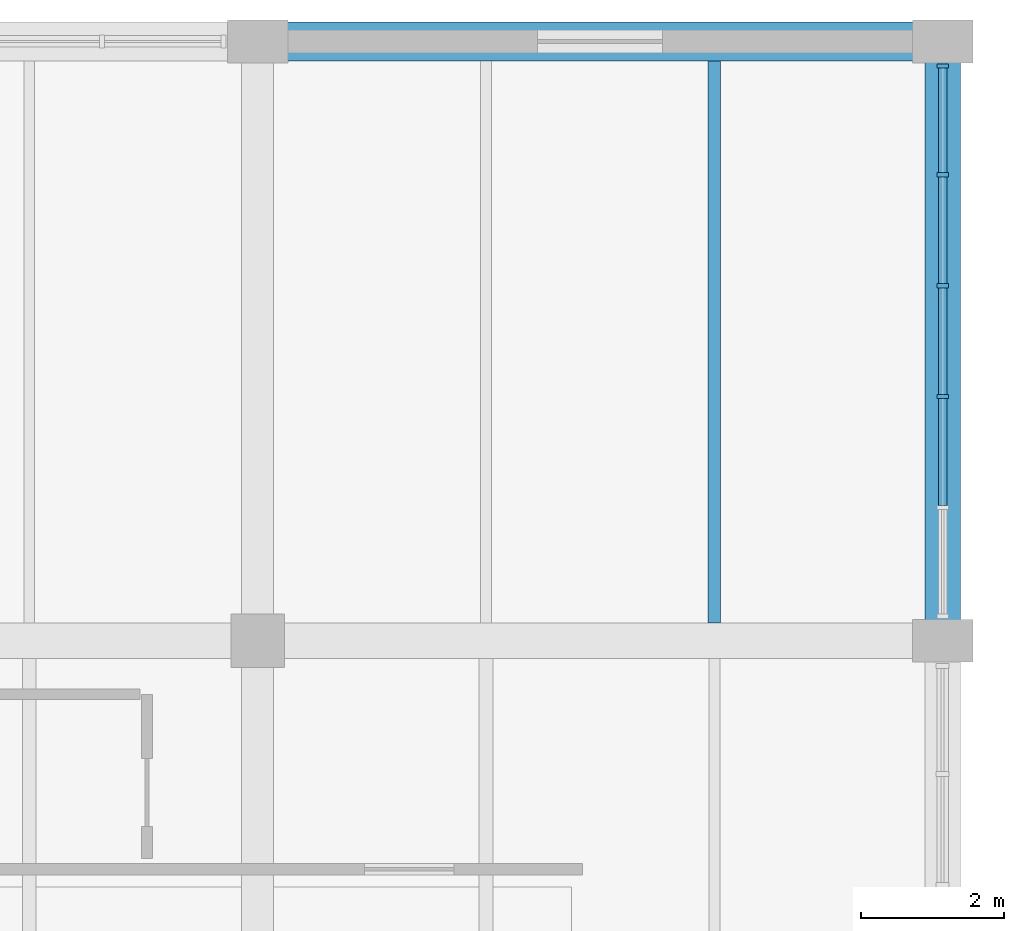
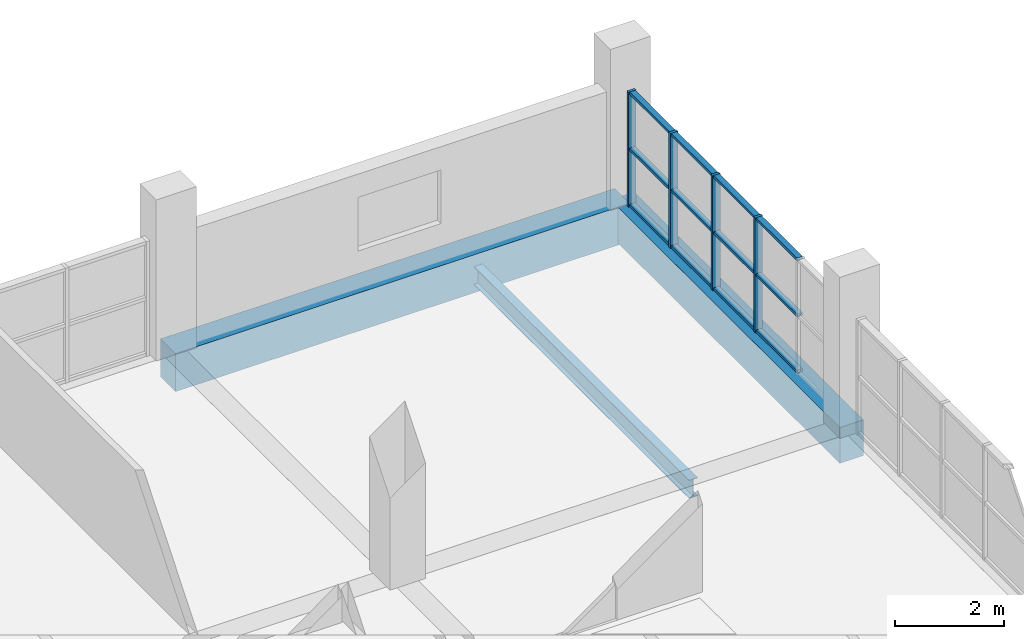
# One storey, part 90 of 147: 16 members, 3 beams, 1 element without a shape of its own.
"""IFC4 building model written with IfcOpenShell, lengths in metres."""

import ifcopenshell
import ifcopenshell.guid

model = None  # the IFC model being written
_history = None  # IfcOwnerHistory: only IFC2X3 demands one
_inside = {}  # id of a spatial element -> (the spatial element, [elements in it])
_under = {}  # id of a project, library or spatial element -> (it, [spatial elements below it])
_declared = {}  # id of a project -> (the project, [libraries it declares])
_typed = {}  # id of a type object -> (the type object, [elements of that type])
_made_of = {}  # id of a material, layer set ... -> (it, [elements and type objects made of it])


def new_model(schema):
    """Start an empty IFC model of exactly this schema.

    Asked for "IFC4X3", IfcOpenShell would pick the latest addendum, in which some entities
    have other attributes; the version numbers below select the first issue.
    IFC2X3 requires an IfcOwnerHistory on every rooted entity: one is made here for all.
    """
    global model, _history
    if schema == "IFC4X3":
        model = ifcopenshell.file(schema_version=(4, 3, 0, 0))
    else:
        model = ifcopenshell.file(schema=schema)
    _inside.clear()
    _under.clear()
    _declared.clear()
    _typed.clear()
    _made_of.clear()
    _history = None
    if model.schema == "IFC2X3":
        org = make("IfcOrganization", Name="unknown")
        user = make(
            "IfcPersonAndOrganization",
            ThePerson=make("IfcPerson", FamilyName="unknown"),
            TheOrganization=org,
        )
        app = make(
            "IfcApplication",
            ApplicationDeveloper=org,
            Version="unknown",
            ApplicationFullName="unknown",
            ApplicationIdentifier="unknown",
        )
        _history = make(
            "IfcOwnerHistory",
            OwningUser=user,
            OwningApplication=app,
            ChangeAction="ADDED",
            CreationDate=0,
        )
    return model


def make(cls, **values):
    """One entity of the class cls with the attributes given. An attribute that is None is left unset."""
    return model.create_entity(
        cls, **{name: value for name, value in values.items() if value is not None}
    )


def rooted(cls, **values):
    """An entity with a GlobalId (a new one), such as an element, a storey or a relation."""
    return make(cls, GlobalId=ifcopenshell.guid.new(), OwnerHistory=_history, **values)


def si_unit(unit_type, name, prefix=None):
    """IfcSIUnit, for example si_unit("LENGTHUNIT", "METRE", prefix="MILLI")."""
    return make("IfcSIUnit", UnitType=unit_type, Prefix=prefix, Name=name)


def assignment(units):
    """IfcUnitAssignment: the units of a project."""
    return None if units is None else make("IfcUnitAssignment", Units=units)


def point(xyz):
    """IfcCartesianPoint."""
    return None if xyz is None else make("IfcCartesianPoint", Coordinates=xyz)


def direction(xyz):
    """IfcDirection."""
    return None if xyz is None else make("IfcDirection", DirectionRatios=xyz)


def frame(location, z_axis=None, x_axis=None):
    """IfcAxis2Placement3D, a coordinate frame: its origin and axes. An axis left out is left unset."""
    return make(
        "IfcAxis2Placement3D",
        Location=point(location),
        Axis=direction(z_axis),
        RefDirection=direction(x_axis),
    )


def frame_2d(location, x_axis=None):
    """IfcAxis2Placement2D, a coordinate frame in the plane: its origin and x axis."""
    return make(
        "IfcAxis2Placement2D", Location=point(location), RefDirection=direction(x_axis)
    )


def origin():
    """The frame at (0, 0, 0) with its axes left unset."""
    return frame((0.0, 0.0, 0.0))


def origin_2d():
    """The frame at (0, 0) in the plane with its x axis left unset."""
    return frame_2d((0.0, 0.0))


def place(relative_to, where):
    """IfcLocalPlacement: puts the frame where relative to a parent placement (None: the world)."""
    return make(
        "IfcLocalPlacement", PlacementRelTo=relative_to, RelativePlacement=where
    )


def context(
    kind, dimensions, precision=None, world=None, true_north=None, identifier=None
):
    """IfcGeometricRepresentationContext, for example the 3D "Model" context."""
    return make(
        "IfcGeometricRepresentationContext",
        ContextIdentifier=identifier,
        ContextType=kind,
        CoordinateSpaceDimension=dimensions,
        Precision=precision,
        WorldCoordinateSystem=world,
        TrueNorth=true_north,
    )


def subcontext(parent, identifier, kind, view, scale=None):
    """IfcGeometricRepresentationSubContext, for example "Body" below "Model"."""
    return make(
        "IfcGeometricRepresentationSubContext",
        ContextIdentifier=identifier,
        ContextType=kind,
        ParentContext=parent,
        TargetScale=scale,
        TargetView=view,
    )


def project(units=None, contexts=None):
    """IfcProject with its units and contexts."""
    return rooted(
        "IfcProject",
        Name="project",
        RepresentationContexts=contexts,
        UnitsInContext=assignment(units),
    )


def spatial(cls, under=None, at=None, **own):
    """A site, building, storey or space (cls), placed at a placement, below another one or the project."""
    s = rooted(cls, ObjectPlacement=at, **own)
    if under is not None:
        _under.setdefault(under.id(), (under, []))[1].append(s)
    return s


def profile(cls, at=None, kind="AREA", **sizes):
    """A parametric profile (cls). Its sizes go by their IFC names, for example OverallWidth=200.0."""
    return make(cls, ProfileType=kind, Position=at, **sizes)


def rectangle(**sizes):
    """IfcRectangleProfileDef."""
    return profile("IfcRectangleProfileDef", **sizes)


def i_section(**sizes):
    """IfcIShapeProfileDef."""
    return profile("IfcIShapeProfileDef", **sizes)


def extrude(swept, where, along, depth):
    """IfcExtrudedAreaSolid: the profile swept, set in the frame where, extruded along a direction by depth."""
    return make(
        "IfcExtrudedAreaSolid",
        SweptArea=swept,
        Position=where,
        ExtrudedDirection=direction(along),
        Depth=depth,
    )


def shape(context_of_items, identifier, shape_type, items):
    """IfcShapeRepresentation: the items that make up one representation, for example the "Body"."""
    return make(
        "IfcShapeRepresentation",
        ContextOfItems=context_of_items,
        RepresentationIdentifier=identifier,
        RepresentationType=shape_type,
        Items=items,
    )


def material(Name=None, Category=None):
    """IfcMaterial."""
    return make("IfcMaterial", Name=Name, Category=Category)


def material_profile(
    of_material, cross_section, Name=None, Category=None, Priority=None
):
    """IfcMaterialProfile: a cross section and its material."""
    return make(
        "IfcMaterialProfile",
        Name=Name,
        Material=of_material,
        Profile=cross_section,
        Priority=Priority,
        Category=Category,
    )


def profile_set(profiles, Name=None, composite=None):
    """IfcMaterialProfileSet."""
    return make(
        "IfcMaterialProfileSet",
        Name=Name,
        MaterialProfiles=profiles,
        CompositeProfile=composite,
    )


def made_of(thing, what):
    """Note that an element or type object is made of a material, layer set ...; save() writes the relation."""
    if what is not None:
        _made_of.setdefault(what.id(), (what, []))[1].append(thing)
    return thing


def type_object(cls, material=None, **own):
    """A type object (cls), such as IfcWallType, which elements share."""
    return made_of(rooted(cls, **own), material)


def element(
    cls,
    number,
    at=None,
    inside=None,
    cuts=None,
    type_object=None,
    material=None,
    context=None,
    identifier="Body",
    shape_type=None,
    held_by="IfcProductDefinitionShape",
    body=None,
    shapes=None,
    **own,
):
    """One element of the class cls, such as IfcWall. Its Tag is "e" and its number.

    at: its placement. inside: the storey or other place that contains it. cuts: it is an
    opening in that element (IfcRelVoidsElement). A single representation is given by context,
    identifier, shape_type and body (its items); several are given by shapes. held_by: the class
    of the entity that holds the representations. save() writes the other relations.
    """
    e = rooted(cls, Tag="e%d" % number, ObjectPlacement=at, **own)
    if body is not None:
        shapes = [shape(context, identifier, shape_type, body)]
    if shapes is not None:
        e.Representation = make(held_by, Representations=shapes)
    if inside is not None:
        _inside.setdefault(inside.id(), (inside, []))[1].append(e)
    if cuts is not None:
        rooted(
            "IfcRelVoidsElement", RelatingBuildingElement=cuts, RelatedOpeningElement=e
        )
    if type_object is not None:
        _typed.setdefault(type_object.id(), (type_object, []))[1].append(e)
    return made_of(e, material)


def aggregate(whole, parts):
    """IfcRelAggregates: a whole, such as a stair, and the parts it consists of."""
    return rooted("IfcRelAggregates", RelatingObject=whole, RelatedObjects=parts)


def save(model, path):
    """Write the relations noted so far, then the file.

    IfcRelAggregates (storeys below a building ...), IfcRelContainedInSpatialStructure (elements
    in a storey), IfcRelDefinesByType, IfcRelAssociatesMaterial and IfcRelDeclares: one each for
    every whole, place, type object, material and project.
    """
    for whole, parts in _under.values():
        aggregate(whole, parts)
    for where, things in _inside.values():
        rooted(
            "IfcRelContainedInSpatialStructure",
            RelatedElements=things,
            RelatingStructure=where,
        )
    for kind, things in _typed.values():
        rooted("IfcRelDefinesByType", RelatedObjects=things, RelatingType=kind)
    for what, things in _made_of.values():
        rooted("IfcRelAssociatesMaterial", RelatedObjects=things, RelatingMaterial=what)
    for by, libraries in _declared.values():
        rooted("IfcRelDeclares", RelatingContext=by, RelatedDefinitions=libraries)
    model.write(path)


model = new_model("IFC4")

# Units and contexts
model_context = context("Model", 3, precision=1e-05, world=origin(), true_north=direction((0.0, 1.0)))
body_context = subcontext(model_context, "Body", "Model", "MODEL_VIEW")
ifc_project = project(units=[si_unit("LENGTHUNIT", "METRE"), si_unit("AREAUNIT", "SQUARE_METRE"), si_unit("VOLUMEUNIT", "CUBIC_METRE"), si_unit("PLANEANGLEUNIT", "RADIAN"), si_unit("MASSUNIT", "GRAM", prefix="KILO")], contexts=[model_context])

# Site, building, storey
site_placement = place(None, origin())
site = spatial("IfcSite", under=ifc_project, at=site_placement, CompositionType="ELEMENT")
building_placement = place(site_placement, origin())
building = spatial("IfcBuilding", under=site, at=building_placement, Name="Oolite Switchyard Hospital", CompositionType="ELEMENT")
storey_placement = place(building_placement, frame((0.0, 0.0, 9.89990234375)))
storey = spatial("IfcBuildingStorey", under=building, at=storey_placement, Name="L02", CompositionType="ELEMENT", Elevation=9.89990234375)

# Beams
ifc_material_1 = material(Name="Concrete C40/50", Category="concrete")
ifc_material_profile_1 = material_profile(ifc_material_1, rectangle(XDim=0.5, YDim=0.800048828125, at=origin_2d()), Name="RCB500X800")
ifc_profile_set_1 = profile_set([ifc_material_profile_1], Name="Concrete C40/50")
beam_type_1 = type_object("IfcBeamType", Name="BM-RC500X800", PredefinedType="BEAM", material=ifc_profile_set_1)
beam_1_placement = place(storey_placement, frame((211.199951171875, 126.0, -0.39990234375), z_axis=(0.0, 1.0, 0.0), x_axis=(-1.0, 0.0, 0.0)))
element("IfcBeam", 1, at=beam_1_placement, inside=storey, type_object=beam_type_1, Name="L02 Y-Girder 1511", PredefinedType="BEAM", context=body_context, shape_type="SweptSolid", body=[
    extrude(rectangle(XDim=0.5, YDim=0.800048828125, at=origin_2d()), origin(), (0.0, 0.0, 1.0), 8.39990234375),
])
ifc_material_profile_2 = material_profile(ifc_material_1, rectangle(XDim=0.550048828125, YDim=0.85009765625, at=origin_2d()), Name="RCB550X850")
ifc_profile_set_2 = profile_set([ifc_material_profile_2], Name="Concrete C40/50")
beam_type_2 = type_object("IfcBeamType", Name="BM-RC550X850", PredefinedType="BEAM", material=ifc_profile_set_2)
beam_2_placement = place(storey_placement, frame((201.60009765625, 134.39990234375, -0.4248046875), z_axis=(1.0, 0.0, 0.0), x_axis=(0.0, 1.0, 0.0)))
element("IfcBeam", 2, at=beam_2_placement, inside=storey, type_object=beam_type_2, Name="L02 X-Girder 1249", PredefinedType="BEAM", context=body_context, shape_type="SweptSolid", body=[
    extrude(rectangle(XDim=0.550048828125, YDim=0.85009765625, at=origin_2d()), origin(), (0.0, 0.0, 1.0), 9.599853515625),
])
ifc_material_2 = material(Name="Steel ASTM A992 Grade 50", Category="steel")
ifc_material_profile_3 = material_profile(ifc_material_2, i_section(OverallWidth=0.179931640625, OverallDepth=0.4130859375, WebThickness=0.010009765625, FlangeThickness=0.01611328125, at=origin_2d()), Name="W16X50")
ifc_profile_set_3 = profile_set([ifc_material_profile_3], Name="Steel ASTM A992 Grade 50")
beam_type_3 = type_object("IfcBeamType", Name="BM-W16X50", PredefinedType="JOIST", material=ifc_profile_set_3)
beam_3_placement = place(storey_placement, frame((208.0, 126.25, -0.4658203125), z_axis=(0.0, 1.0, 0.0), x_axis=(-1.0, 0.0, 0.0)))
element("IfcBeam", 3, at=beam_3_placement, inside=storey, type_object=beam_type_3, Name="L02 Secondary Steel Joist 1925", PredefinedType="JOIST", context=body_context, shape_type="SweptSolid", body=[
    extrude(i_section(OverallWidth=0.179931640625, OverallDepth=0.4130859375, WebThickness=0.010009765625, FlangeThickness=0.01611328125, at=origin_2d()), origin(), (0.0, 0.0, 1.0), 7.875),
])

# Curtain wall, members
ifc_material_3 = material(Name="Thermally broken aluminum frame with laminated impact glazing", Category="aluminium")
curtain_wall_type = type_object("IfcCurtainWallType", Name="CW-UNIT-84X36", PredefinedType="USERDEFINED", material=ifc_material_3)
curtain_wall_placement = place(storey_placement, origin())
curtain_wall = element("IfcCurtainWall", 4, at=curtain_wall_placement, inside=storey, type_object=curtain_wall_type, Name="L02 Unitised Curtain Wall 322", ObjectType="UNITISED", PredefinedType="USERDEFINED")
ifc_material_4 = material(Name="Aluminium 6063-T6", Category="aluminium")
ifc_material_profile_4 = material_profile(ifc_material_4, rectangle(XDim=0.159912109375, YDim=0.06005859375, at=origin_2d()), Name="CWM60X160")
ifc_profile_set_4 = profile_set([ifc_material_profile_4], Name="Aluminium 6063-T6")
member_type_1 = type_object("IfcMemberType", Name="CW-MUL-180", PredefinedType="MULLION", material=ifc_profile_set_4)
member_1_placement = place(storey_placement, frame((211.199951171875, 134.054931640625, 0.0), z_axis=(0.0, 0.0, 1.0), x_axis=(1.0, 0.0, 0.0)))
member_1 = element("IfcMember", 5, at=member_1_placement, type_object=member_type_1, Name="CW-08 mullion 1", PredefinedType="MULLION", context=body_context, shape_type="SweptSolid", body=[
    extrude(rectangle(XDim=0.159912109375, YDim=0.06005859375, at=origin_2d()), origin(), (0.0, 0.0, 1.0), 2.570068359375),
])
member_2_placement = place(storey_placement, frame((211.199951171875, 132.531005859375, 0.0), z_axis=(0.0, 0.0, 1.0), x_axis=(1.0, 0.0, 0.0)))
member_2 = element("IfcMember", 6, at=member_2_placement, type_object=member_type_1, Name="CW-08 mullion 2", PredefinedType="MULLION", context=body_context, shape_type="SweptSolid", body=[
    extrude(rectangle(XDim=0.159912109375, YDim=0.06005859375, at=origin_2d()), origin(), (0.0, 0.0, 1.0), 2.570068359375),
])
member_3_placement = place(storey_placement, frame((211.199951171875, 130.97705078125, 0.0), z_axis=(0.0, 0.0, 1.0), x_axis=(1.0, 0.0, 0.0)))
member_3 = element("IfcMember", 7, at=member_3_placement, type_object=member_type_1, Name="CW-08 mullion 3", PredefinedType="MULLION", context=body_context, shape_type="SweptSolid", body=[
    extrude(rectangle(XDim=0.159912109375, YDim=0.06005859375, at=origin_2d()), origin(), (0.0, 0.0, 1.0), 2.570068359375),
])
member_4_placement = place(storey_placement, frame((211.199951171875, 129.423095703125, 0.0), z_axis=(0.0, 0.0, 1.0), x_axis=(1.0, 0.0, 0.0)))
member_4 = element("IfcMember", 8, at=member_4_placement, type_object=member_type_1, Name="CW-08 mullion 4", PredefinedType="MULLION", context=body_context, shape_type="SweptSolid", body=[
    extrude(rectangle(XDim=0.159912109375, YDim=0.06005859375, at=origin_2d()), origin(), (0.0, 0.0, 1.0), 2.570068359375),
])
ifc_material_profile_5 = material_profile(ifc_material_4, rectangle(XDim=0.1201171875, YDim=0.06005859375, at=origin_2d()), Name="CWT60X120")
ifc_profile_set_5 = profile_set([ifc_material_profile_5], Name="Aluminium 6063-T6")
member_type_2 = type_object("IfcMemberType", Name="CW-TRN-150", PredefinedType="USERDEFINED", material=ifc_profile_set_5)
member_5_placement = place(storey_placement, frame((211.199951171875, 134.02490234375, 0.030029296875), z_axis=(0.0, -1.0, 0.0), x_axis=(1.0, 0.0, 0.0)))
member_5 = element("IfcMember", 9, at=member_5_placement, type_object=member_type_2, Name="CW-08 transom 1.1", ObjectType="TRANSOM", PredefinedType="USERDEFINED", context=body_context, shape_type="SweptSolid", body=[
    extrude(rectangle(XDim=0.1201171875, YDim=0.06005859375, at=origin_2d()), origin(), (0.0, 0.0, 1.0), 1.4638671875),
])
member_6_placement = place(storey_placement, frame((211.199951171875, 134.02490234375, 1.28515625), z_axis=(0.0, -1.0, 0.0), x_axis=(1.0, 0.0, 0.0)))
member_6 = element("IfcMember", 10, at=member_6_placement, type_object=member_type_2, Name="CW-08 transom 1.2", ObjectType="TRANSOM", PredefinedType="USERDEFINED", context=body_context, shape_type="SweptSolid", body=[
    extrude(rectangle(XDim=0.1201171875, YDim=0.06005859375, at=origin_2d()), origin(), (0.0, 0.0, 1.0), 1.4638671875),
])
member_7_placement = place(storey_placement, frame((211.199951171875, 134.02490234375, 2.5400390625), z_axis=(0.0, -1.0, 0.0), x_axis=(1.0, 0.0, 0.0)))
member_7 = element("IfcMember", 11, at=member_7_placement, type_object=member_type_2, Name="CW-08 transom 1.3", ObjectType="TRANSOM", PredefinedType="USERDEFINED", context=body_context, shape_type="SweptSolid", body=[
    extrude(rectangle(XDim=0.1201171875, YDim=0.06005859375, at=origin_2d()), origin(), (0.0, 0.0, 1.0), 1.4638671875),
])
member_8_placement = place(storey_placement, frame((211.199951171875, 132.5009765625, 0.030029296875), z_axis=(0.0, -1.0, 0.0), x_axis=(1.0, 0.0, 0.0)))
member_8 = element("IfcMember", 12, at=member_8_placement, type_object=member_type_2, Name="CW-08 transom 2.1", ObjectType="TRANSOM", PredefinedType="USERDEFINED", context=body_context, shape_type="SweptSolid", body=[
    extrude(rectangle(XDim=0.1201171875, YDim=0.06005859375, at=origin_2d()), origin(), (0.0, 0.0, 1.0), 1.493896484375),
])
member_9_placement = place(storey_placement, frame((211.199951171875, 132.5009765625, 1.28515625), z_axis=(0.0, -1.0, 0.0), x_axis=(1.0, 0.0, 0.0)))
member_9 = element("IfcMember", 13, at=member_9_placement, type_object=member_type_2, Name="CW-08 transom 2.2", ObjectType="TRANSOM", PredefinedType="USERDEFINED", context=body_context, shape_type="SweptSolid", body=[
    extrude(rectangle(XDim=0.1201171875, YDim=0.06005859375, at=origin_2d()), origin(), (0.0, 0.0, 1.0), 1.493896484375),
])
member_10_placement = place(storey_placement, frame((211.199951171875, 132.5009765625, 2.5400390625), z_axis=(0.0, -1.0, 0.0), x_axis=(1.0, 0.0, 0.0)))
member_10 = element("IfcMember", 14, at=member_10_placement, type_object=member_type_2, Name="CW-08 transom 2.3", ObjectType="TRANSOM", PredefinedType="USERDEFINED", context=body_context, shape_type="SweptSolid", body=[
    extrude(rectangle(XDim=0.1201171875, YDim=0.06005859375, at=origin_2d()), origin(), (0.0, 0.0, 1.0), 1.493896484375),
])
member_11_placement = place(storey_placement, frame((211.199951171875, 130.947021484375, 0.030029296875), z_axis=(0.0, -1.0, 0.0), x_axis=(1.0, 0.0, 0.0)))
member_11 = element("IfcMember", 15, at=member_11_placement, type_object=member_type_2, Name="CW-08 transom 3.1", ObjectType="TRANSOM", PredefinedType="USERDEFINED", context=body_context, shape_type="SweptSolid", body=[
    extrude(rectangle(XDim=0.1201171875, YDim=0.06005859375, at=origin_2d()), origin(), (0.0, 0.0, 1.0), 1.494140625),
])
member_12_placement = place(storey_placement, frame((211.199951171875, 130.947021484375, 1.28515625), z_axis=(0.0, -1.0, 0.0), x_axis=(1.0, 0.0, 0.0)))
member_12 = element("IfcMember", 16, at=member_12_placement, type_object=member_type_2, Name="CW-08 transom 3.2", ObjectType="TRANSOM", PredefinedType="USERDEFINED", context=body_context, shape_type="SweptSolid", body=[
    extrude(rectangle(XDim=0.1201171875, YDim=0.06005859375, at=origin_2d()), origin(), (0.0, 0.0, 1.0), 1.494140625),
])
member_13_placement = place(storey_placement, frame((211.199951171875, 130.947021484375, 2.5400390625), z_axis=(0.0, -1.0, 0.0), x_axis=(1.0, 0.0, 0.0)))
member_13 = element("IfcMember", 17, at=member_13_placement, type_object=member_type_2, Name="CW-08 transom 3.3", ObjectType="TRANSOM", PredefinedType="USERDEFINED", context=body_context, shape_type="SweptSolid", body=[
    extrude(rectangle(XDim=0.1201171875, YDim=0.06005859375, at=origin_2d()), origin(), (0.0, 0.0, 1.0), 1.494140625),
])
member_14_placement = place(storey_placement, frame((211.199951171875, 129.39306640625, 0.030029296875), z_axis=(0.0, -1.0, 0.0), x_axis=(1.0, 0.0, 0.0)))
member_14 = element("IfcMember", 18, at=member_14_placement, type_object=member_type_2, Name="CW-08 transom 4.1", ObjectType="TRANSOM", PredefinedType="USERDEFINED", context=body_context, shape_type="SweptSolid", body=[
    extrude(rectangle(XDim=0.1201171875, YDim=0.06005859375, at=origin_2d()), origin(), (0.0, 0.0, 1.0), 1.494140625),
])
member_15_placement = place(storey_placement, frame((211.199951171875, 129.39306640625, 1.28515625), z_axis=(0.0, -1.0, 0.0), x_axis=(1.0, 0.0, 0.0)))
member_15 = element("IfcMember", 19, at=member_15_placement, type_object=member_type_2, Name="CW-08 transom 4.2", ObjectType="TRANSOM", PredefinedType="USERDEFINED", context=body_context, shape_type="SweptSolid", body=[
    extrude(rectangle(XDim=0.1201171875, YDim=0.06005859375, at=origin_2d()), origin(), (0.0, 0.0, 1.0), 1.494140625),
])
member_16_placement = place(storey_placement, frame((211.199951171875, 129.39306640625, 2.5400390625), z_axis=(0.0, -1.0, 0.0), x_axis=(1.0, 0.0, 0.0)))
member_16 = element("IfcMember", 20, at=member_16_placement, type_object=member_type_2, Name="CW-08 transom 4.3", ObjectType="TRANSOM", PredefinedType="USERDEFINED", context=body_context, shape_type="SweptSolid", body=[
    extrude(rectangle(XDim=0.1201171875, YDim=0.06005859375, at=origin_2d()), origin(), (0.0, 0.0, 1.0), 1.494140625),
])
aggregate(curtain_wall, [member_1, member_2, member_3, member_4, member_5, member_6, member_7, member_8, member_9, member_10, member_11, member_12, member_13, member_14, member_15, member_16])

save(model, "model.ifc")
